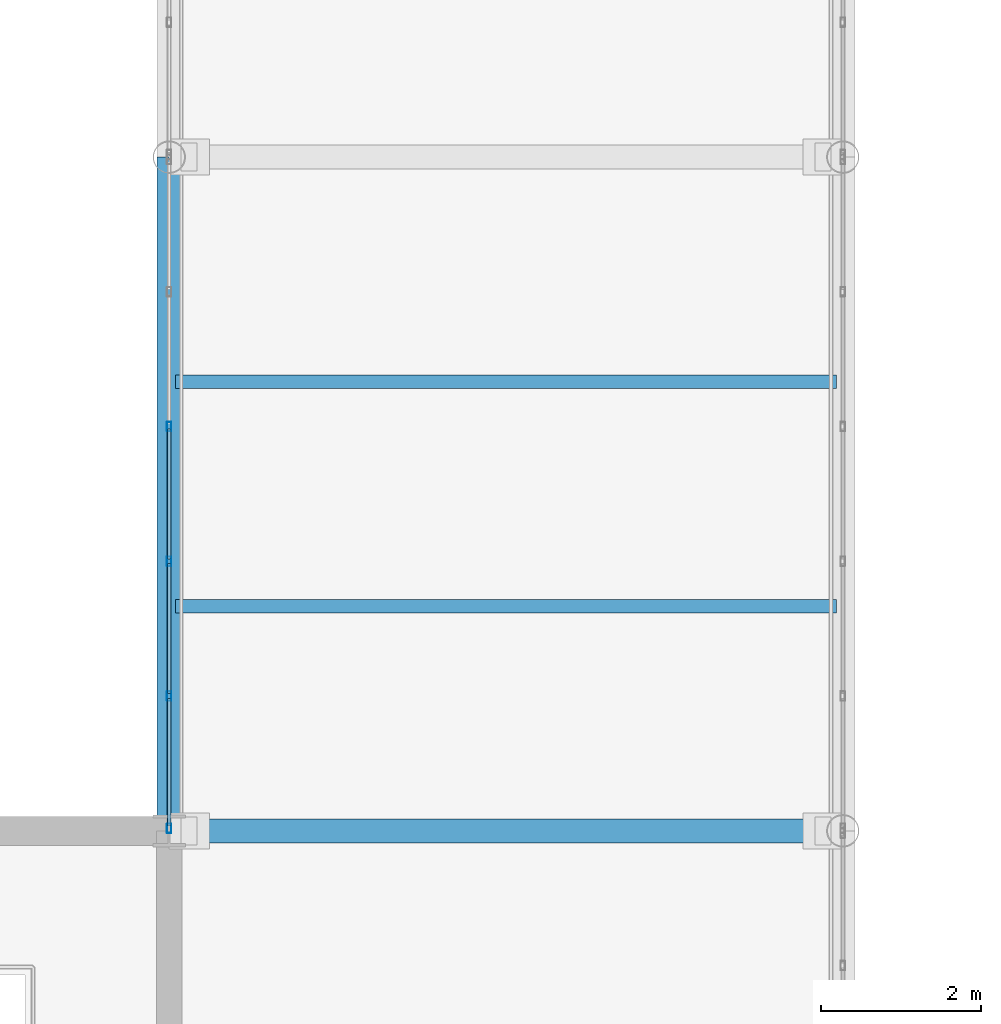
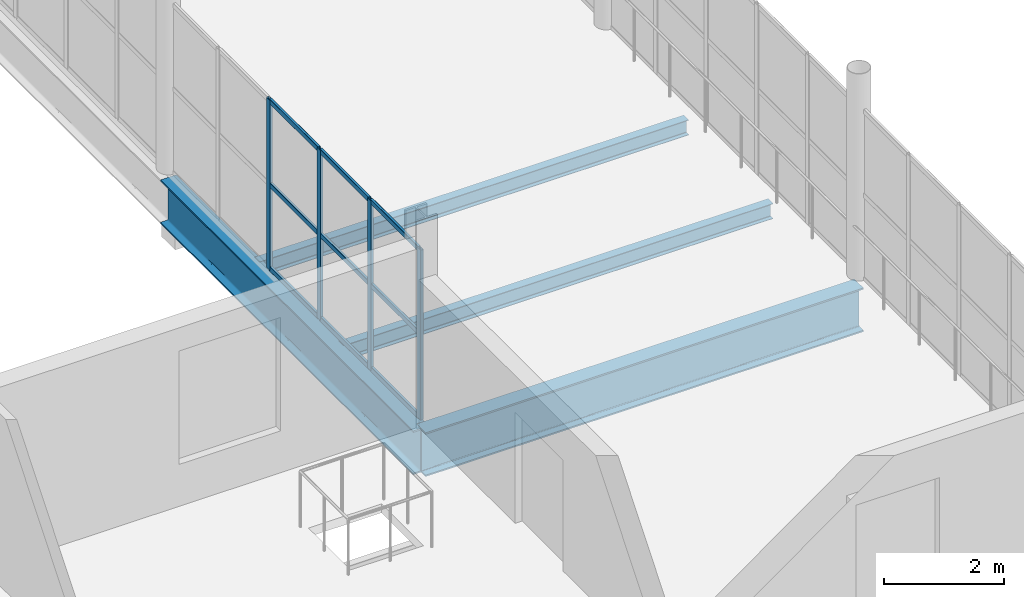
# One storey, part 47 of 163: 13 members, 4 beams, 1 element without a shape of its own.
"""IFC4 building model written with IfcOpenShell, lengths in metres."""

from ifc_helpers import new_model, si_unit, direction, frame, origin, origin_2d, place, context, subcontext, project, spatial, hollow_rectangle, i_section, extrude, material, layer, layer_set, material_profile, profile_set, type_object, element, aggregate, save


model = new_model("IFC4")

# Units and contexts
model_context = context("Model", 3, precision=1e-05, world=origin(), true_north=direction((0.0, 1.0)))
body_context = subcontext(model_context, "Body", "Model", "MODEL_VIEW")
ifc_project = project(units=[si_unit("LENGTHUNIT", "METRE"), si_unit("AREAUNIT", "SQUARE_METRE"), si_unit("VOLUMEUNIT", "CUBIC_METRE"), si_unit("PLANEANGLEUNIT", "RADIAN"), si_unit("MASSUNIT", "GRAM", prefix="KILO")], contexts=[model_context])

# Site, building, storey
site_placement = place(None, origin())
site = spatial("IfcSite", under=ifc_project, at=site_placement, CompositionType="ELEMENT")
building_placement = place(site_placement, origin())
building = spatial("IfcBuilding", under=site, at=building_placement, Name="Qalvenar Corner Mobility Hub", CompositionType="ELEMENT")
storey_placement = place(building_placement, frame((0.0, 0.0, 4.800048828125)))
storey = spatial("IfcBuildingStorey", under=building, at=storey_placement, Name="L01", CompositionType="ELEMENT", Elevation=4.800048828125)

# Beams
ifc_material_1 = material(Name="Steel S355", Category="steel")
ifc_material_profile_1 = material_profile(ifc_material_1, i_section(OverallWidth=0.300048828125, OverallDepth=0.889892578125, WebThickness=0.01611328125, FlangeThickness=0.030029296875, FilletRadius=0.027099609375, at=origin_2d()), Name="HEA900")
ifc_profile_set_1 = profile_set([ifc_material_profile_1], Name="Steel S355")
beam_type_1 = type_object("IfcBeamType", Name="BM-BRG900", PredefinedType="BEAM", material=ifc_profile_set_1)
beam_1_placement = place(storey_placement, frame((50.39990234375, 42.0, -0.635009765625), z_axis=(1.0, 0.0, 0.0), x_axis=(0.0, 1.0, 0.0)))
element("IfcBeam", 1, at=beam_1_placement, inside=storey, type_object=beam_type_1, Name="Court Link Bridge Girder BRG-1522", PredefinedType="BEAM", context=body_context, shape_type="SweptSolid", body=[
    extrude(i_section(OverallWidth=0.300048828125, OverallDepth=0.889892578125, WebThickness=0.01611328125, FlangeThickness=0.030029296875, FilletRadius=0.027099609375, at=origin_2d()), origin(), (0.0, 0.0, 1.0), 8.400146484375),
])
beam_2_placement = place(storey_placement, frame((50.39990234375, 42.0, -0.635009765625), z_axis=(0.0, 1.0, 0.0), x_axis=(-1.0, 0.0, 0.0)))
element("IfcBeam", 2, at=beam_2_placement, inside=storey, type_object=beam_type_1, Name="Court Link Bridge Girder BRG-1526", PredefinedType="BEAM", context=body_context, shape_type="SweptSolid", body=[
    extrude(i_section(OverallWidth=0.300048828125, OverallDepth=0.889892578125, WebThickness=0.01611328125, FlangeThickness=0.030029296875, FilletRadius=0.027099609375, at=origin_2d()), origin(), (0.0, 0.0, 1.0), 8.39990234375),
])
ifc_material_profile_2 = material_profile(ifc_material_1, i_section(OverallWidth=0.1650390625, OverallDepth=0.31005859375, WebThickness=0.005859375, FlangeThickness=0.009765625, FilletRadius=0.011962890625, at=origin_2d()), Name="W310x38.7")
ifc_profile_set_2 = profile_set([ifc_material_profile_2], Name="Steel S355")
beam_type_2 = type_object("IfcBeamType", Name="BM-JST310", PredefinedType="JOIST", material=ifc_profile_set_2)
for number, where, z_axis, x_axis, name in (
    (3, (50.47802734375, 44.800048828125, -0.344970703125), (1.0, 0.0, 0.0), (0.0, 1.0, 0.0), "Composite Floor Joist J-1535"),
    (4, (50.47802734375, 47.60009765625, -0.344970703125), (1.0, 0.0, 0.0), (0.0, 1.0, 0.0), "Composite Floor Joist J-1536"),
):
    element("IfcBeam", number, at=place(storey_placement, frame(where, z_axis=z_axis, x_axis=x_axis)), inside=storey, type_object=beam_type_2, Name=name, PredefinedType="JOIST", context=body_context, shape_type="SweptSolid", body=[
        extrude(i_section(OverallWidth=0.1650390625, OverallDepth=0.31005859375, WebThickness=0.005859375, FlangeThickness=0.009765625, FilletRadius=0.011962890625, at=origin_2d()), origin(), (0.0, 0.0, 1.0), 8.243896484375),
    ])

# Curtain wall, members
ifc_material_2 = material(Name="Anodised Aluminium and Low-E Glazing", Category="aluminium")
ifc_layer = layer(ifc_material_2, 0.1201171875)
ifc_layer_set = layer_set([ifc_layer], Name="Anodised Aluminium and Low-E Glazing")
curtain_wall_type = type_object("IfcCurtainWallType", Name="CW-BRG-84X28", PredefinedType="NOTDEFINED", material=ifc_layer_set)
curtain_wall_placement = place(storey_placement, origin())
curtain_wall = element("IfcCurtainWall", 5, at=curtain_wall_placement, inside=storey, type_object=curtain_wall_type, Name="Glazed Curtain Wall CW-BRG-L01-W1", PredefinedType="NOTDEFINED")
ifc_material_3 = material(Name="Anodised Aluminium 6063-T6", Category="aluminium")
ifc_material_profile_3 = material_profile(ifc_material_3, hollow_rectangle(XDim=0.054931640625, YDim=0.1201171875, WallThickness=0.00341796875, InnerFilletRadius=0.00341796875, OuterFilletRadius=0.007080078125, at=origin_2d()), Name="RHS120x55x3.5")
ifc_profile_set_3 = profile_set([ifc_material_profile_3], Name="Anodised Aluminium 6063-T6")
member_type_1 = type_object("IfcMemberType", Name="CW-MUL120", PredefinedType="MULLION", material=ifc_profile_set_3)
member_1_placement = place(storey_placement, frame((50.39990234375, 47.0400390625, 0.0), z_axis=(0.0, 0.0, 1.0), x_axis=(1.0, 0.0, 0.0)))
member_1 = element("IfcMember", 6, at=member_1_placement, type_object=member_type_1, Name="CW-11 mullion 3", PredefinedType="MULLION", context=body_context, shape_type="SweptSolid", body=[
    extrude(hollow_rectangle(XDim=0.054931640625, YDim=0.1201171875, WallThickness=0.00341796875, InnerFilletRadius=0.00341796875, OuterFilletRadius=0.007080078125, at=origin_2d()), origin(), (0.0, 0.0, 1.0), 3.449951171875),
])
member_2_placement = place(storey_placement, frame((50.39990234375, 45.360107421875, 0.0), z_axis=(0.0, 0.0, 1.0), x_axis=(1.0, 0.0, 0.0)))
member_2 = element("IfcMember", 7, at=member_2_placement, type_object=member_type_1, Name="CW-11 mullion 4", PredefinedType="MULLION", context=body_context, shape_type="SweptSolid", body=[
    extrude(hollow_rectangle(XDim=0.054931640625, YDim=0.1201171875, WallThickness=0.00341796875, InnerFilletRadius=0.00341796875, OuterFilletRadius=0.007080078125, at=origin_2d()), origin(), (0.0, 0.0, 1.0), 3.449951171875),
])
member_3_placement = place(storey_placement, frame((50.39990234375, 43.679931640625, 0.0), z_axis=(0.0, 0.0, 1.0), x_axis=(1.0, 0.0, 0.0)))
member_3 = element("IfcMember", 8, at=member_3_placement, type_object=member_type_1, Name="CW-11 mullion 5", PredefinedType="MULLION", context=body_context, shape_type="SweptSolid", body=[
    extrude(hollow_rectangle(XDim=0.054931640625, YDim=0.1201171875, WallThickness=0.00341796875, InnerFilletRadius=0.00341796875, OuterFilletRadius=0.007080078125, at=origin_2d()), origin(), (0.0, 0.0, 1.0), 3.449951171875),
])
member_4_placement = place(storey_placement, frame((50.39990234375, 42.030029296875, 0.0), z_axis=(0.0, 0.0, 1.0), x_axis=(1.0, 0.0, 0.0)))
member_4 = element("IfcMember", 9, at=member_4_placement, type_object=member_type_1, Name="CW-11 mullion 6", PredefinedType="MULLION", context=body_context, shape_type="SweptSolid", body=[
    extrude(hollow_rectangle(XDim=0.054931640625, YDim=0.1201171875, WallThickness=0.00341796875, InnerFilletRadius=0.00341796875, OuterFilletRadius=0.007080078125, at=origin_2d()), origin(), (0.0, 0.0, 1.0), 3.449951171875),
])
ifc_material_profile_4 = material_profile(ifc_material_3, hollow_rectangle(XDim=0.050048828125, YDim=0.10009765625, WallThickness=0.0029296875, InnerFilletRadius=0.0029296875, OuterFilletRadius=0.006103515625, at=origin_2d()), Name="RHS100x50x3")
ifc_profile_set_4 = profile_set([ifc_material_profile_4], Name="Anodised Aluminium 6063-T6")
member_type_2 = type_object("IfcMemberType", Name="CW-TRN100", PredefinedType="USERDEFINED", material=ifc_profile_set_4)
member_5_placement = place(storey_placement, frame((50.39990234375, 47.010009765625, 0.02734375), z_axis=(0.0, -1.0, 0.0), x_axis=(1.0, 0.0, 0.0)))
member_5 = element("IfcMember", 10, at=member_5_placement, type_object=member_type_2, Name="CW-11 transom 3.1", ObjectType="TRANSOM", PredefinedType="USERDEFINED", context=body_context, shape_type="SweptSolid", body=[
    extrude(hollow_rectangle(XDim=0.050048828125, YDim=0.10009765625, WallThickness=0.0029296875, InnerFilletRadius=0.0029296875, OuterFilletRadius=0.006103515625, at=origin_2d()), origin(), (0.0, 0.0, 1.0), 1.6201171875),
])
member_6_placement = place(storey_placement, frame((50.39990234375, 47.010009765625, 1.724853515625), z_axis=(0.0, -1.0, 0.0), x_axis=(1.0, 0.0, 0.0)))
member_6 = element("IfcMember", 11, at=member_6_placement, type_object=member_type_2, Name="CW-11 transom 3.2", ObjectType="TRANSOM", PredefinedType="USERDEFINED", context=body_context, shape_type="SweptSolid", body=[
    extrude(hollow_rectangle(XDim=0.050048828125, YDim=0.10009765625, WallThickness=0.0029296875, InnerFilletRadius=0.0029296875, OuterFilletRadius=0.006103515625, at=origin_2d()), origin(), (0.0, 0.0, 1.0), 1.6201171875),
])
member_7_placement = place(storey_placement, frame((50.39990234375, 47.010009765625, 3.42236328125), z_axis=(0.0, -1.0, 0.0), x_axis=(1.0, 0.0, 0.0)))
member_7 = element("IfcMember", 12, at=member_7_placement, type_object=member_type_2, Name="CW-11 transom 3.3", ObjectType="TRANSOM", PredefinedType="USERDEFINED", context=body_context, shape_type="SweptSolid", body=[
    extrude(hollow_rectangle(XDim=0.050048828125, YDim=0.10009765625, WallThickness=0.0029296875, InnerFilletRadius=0.0029296875, OuterFilletRadius=0.006103515625, at=origin_2d()), origin(), (0.0, 0.0, 1.0), 1.6201171875),
])
member_8_placement = place(storey_placement, frame((50.39990234375, 45.330078125, 0.02734375), z_axis=(0.0, -1.0, 0.0), x_axis=(1.0, 0.0, 0.0)))
member_8 = element("IfcMember", 13, at=member_8_placement, type_object=member_type_2, Name="CW-11 transom 4.1", ObjectType="TRANSOM", PredefinedType="USERDEFINED", context=body_context, shape_type="SweptSolid", body=[
    extrude(hollow_rectangle(XDim=0.050048828125, YDim=0.10009765625, WallThickness=0.0029296875, InnerFilletRadius=0.0029296875, OuterFilletRadius=0.006103515625, at=origin_2d()), origin(), (0.0, 0.0, 1.0), 1.6201171875),
])
member_9_placement = place(storey_placement, frame((50.39990234375, 45.330078125, 1.724853515625), z_axis=(0.0, -1.0, 0.0), x_axis=(1.0, 0.0, 0.0)))
member_9 = element("IfcMember", 14, at=member_9_placement, type_object=member_type_2, Name="CW-11 transom 4.2", ObjectType="TRANSOM", PredefinedType="USERDEFINED", context=body_context, shape_type="SweptSolid", body=[
    extrude(hollow_rectangle(XDim=0.050048828125, YDim=0.10009765625, WallThickness=0.0029296875, InnerFilletRadius=0.0029296875, OuterFilletRadius=0.006103515625, at=origin_2d()), origin(), (0.0, 0.0, 1.0), 1.6201171875),
])
member_10_placement = place(storey_placement, frame((50.39990234375, 45.330078125, 3.42236328125), z_axis=(0.0, -1.0, 0.0), x_axis=(1.0, 0.0, 0.0)))
member_10 = element("IfcMember", 15, at=member_10_placement, type_object=member_type_2, Name="CW-11 transom 4.3", ObjectType="TRANSOM", PredefinedType="USERDEFINED", context=body_context, shape_type="SweptSolid", body=[
    extrude(hollow_rectangle(XDim=0.050048828125, YDim=0.10009765625, WallThickness=0.0029296875, InnerFilletRadius=0.0029296875, OuterFilletRadius=0.006103515625, at=origin_2d()), origin(), (0.0, 0.0, 1.0), 1.6201171875),
])
member_11_placement = place(storey_placement, frame((50.39990234375, 43.64990234375, 0.02734375), z_axis=(0.0, -1.0, 0.0), x_axis=(1.0, 0.0, 0.0)))
member_11 = element("IfcMember", 16, at=member_11_placement, type_object=member_type_2, Name="CW-11 transom 5.1", ObjectType="TRANSOM", PredefinedType="USERDEFINED", context=body_context, shape_type="SweptSolid", body=[
    extrude(hollow_rectangle(XDim=0.050048828125, YDim=0.10009765625, WallThickness=0.0029296875, InnerFilletRadius=0.0029296875, OuterFilletRadius=0.006103515625, at=origin_2d()), origin(), (0.0, 0.0, 1.0), 1.58984375),
])
member_12_placement = place(storey_placement, frame((50.39990234375, 43.64990234375, 1.724853515625), z_axis=(0.0, -1.0, 0.0), x_axis=(1.0, 0.0, 0.0)))
member_12 = element("IfcMember", 17, at=member_12_placement, type_object=member_type_2, Name="CW-11 transom 5.2", ObjectType="TRANSOM", PredefinedType="USERDEFINED", context=body_context, shape_type="SweptSolid", body=[
    extrude(hollow_rectangle(XDim=0.050048828125, YDim=0.10009765625, WallThickness=0.0029296875, InnerFilletRadius=0.0029296875, OuterFilletRadius=0.006103515625, at=origin_2d()), origin(), (0.0, 0.0, 1.0), 1.58984375),
])
member_13_placement = place(storey_placement, frame((50.39990234375, 43.64990234375, 3.42236328125), z_axis=(0.0, -1.0, 0.0), x_axis=(1.0, 0.0, 0.0)))
member_13 = element("IfcMember", 18, at=member_13_placement, type_object=member_type_2, Name="CW-11 transom 5.3", ObjectType="TRANSOM", PredefinedType="USERDEFINED", context=body_context, shape_type="SweptSolid", body=[
    extrude(hollow_rectangle(XDim=0.050048828125, YDim=0.10009765625, WallThickness=0.0029296875, InnerFilletRadius=0.0029296875, OuterFilletRadius=0.006103515625, at=origin_2d()), origin(), (0.0, 0.0, 1.0), 1.58984375),
])
aggregate(curtain_wall, [member_1, member_2, member_3, member_4, member_5, member_6, member_7, member_8, member_9, member_10, member_11, member_12, member_13])

save(model, "model.ifc")
